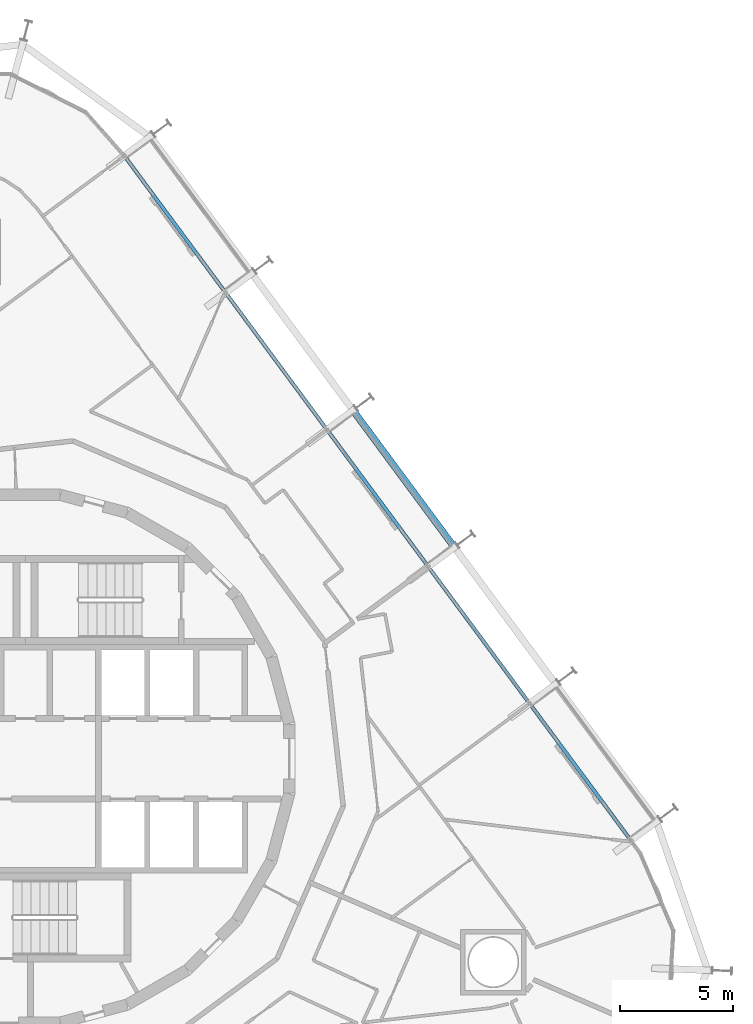
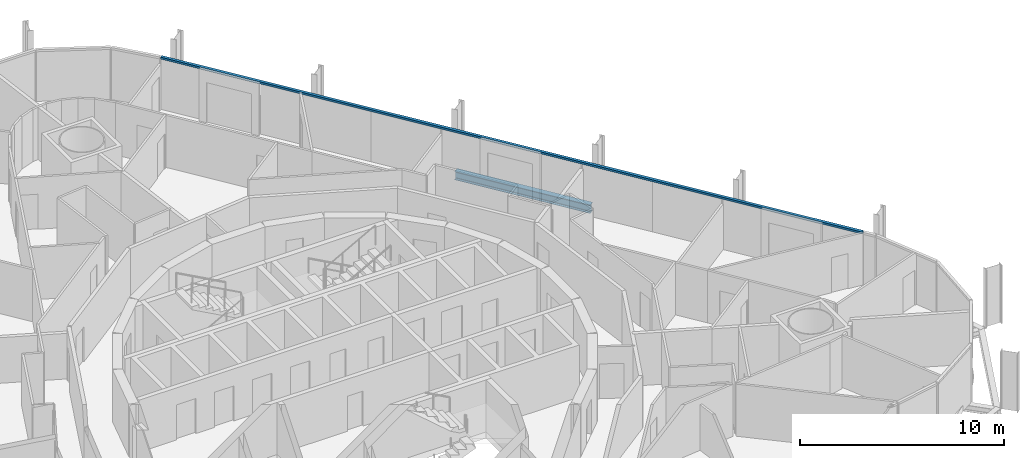
# One storey, part 10 of 24: 1 beam, 1 member, 1 element without a shape of its own.
"""IFC4 building model written with IfcOpenShell, lengths in metres."""

import ifcopenshell
import ifcopenshell.guid

model = None  # the IFC model being written
_history = None  # IfcOwnerHistory: only IFC2X3 demands one
_inside = {}  # id of a spatial element -> (the spatial element, [elements in it])
_under = {}  # id of a project, library or spatial element -> (it, [spatial elements below it])
_declared = {}  # id of a project -> (the project, [libraries it declares])
_typed = {}  # id of a type object -> (the type object, [elements of that type])
_made_of = {}  # id of a material, layer set ... -> (it, [elements and type objects made of it])


def new_model(schema):
    """Start an empty IFC model of exactly this schema.

    Asked for "IFC4X3", IfcOpenShell would pick the latest addendum, in which some entities
    have other attributes; the version numbers below select the first issue.
    IFC2X3 requires an IfcOwnerHistory on every rooted entity: one is made here for all.
    """
    global model, _history
    if schema == "IFC4X3":
        model = ifcopenshell.file(schema_version=(4, 3, 0, 0))
    else:
        model = ifcopenshell.file(schema=schema)
    _inside.clear()
    _under.clear()
    _declared.clear()
    _typed.clear()
    _made_of.clear()
    _history = None
    if model.schema == "IFC2X3":
        org = make("IfcOrganization", Name="unknown")
        user = make(
            "IfcPersonAndOrganization",
            ThePerson=make("IfcPerson", FamilyName="unknown"),
            TheOrganization=org,
        )
        app = make(
            "IfcApplication",
            ApplicationDeveloper=org,
            Version="unknown",
            ApplicationFullName="unknown",
            ApplicationIdentifier="unknown",
        )
        _history = make(
            "IfcOwnerHistory",
            OwningUser=user,
            OwningApplication=app,
            ChangeAction="ADDED",
            CreationDate=0,
        )
    return model


def make(cls, **values):
    """One entity of the class cls with the attributes given. An attribute that is None is left unset."""
    return model.create_entity(
        cls, **{name: value for name, value in values.items() if value is not None}
    )


def rooted(cls, **values):
    """An entity with a GlobalId (a new one), such as an element, a storey or a relation."""
    return make(cls, GlobalId=ifcopenshell.guid.new(), OwnerHistory=_history, **values)


def si_unit(unit_type, name, prefix=None):
    """IfcSIUnit, for example si_unit("LENGTHUNIT", "METRE", prefix="MILLI")."""
    return make("IfcSIUnit", UnitType=unit_type, Prefix=prefix, Name=name)


def assignment(units):
    """IfcUnitAssignment: the units of a project."""
    return None if units is None else make("IfcUnitAssignment", Units=units)


def point(xyz):
    """IfcCartesianPoint."""
    return None if xyz is None else make("IfcCartesianPoint", Coordinates=xyz)


def direction(xyz):
    """IfcDirection."""
    return None if xyz is None else make("IfcDirection", DirectionRatios=xyz)


def frame(location, z_axis=None, x_axis=None):
    """IfcAxis2Placement3D, a coordinate frame: its origin and axes. An axis left out is left unset."""
    return make(
        "IfcAxis2Placement3D",
        Location=point(location),
        Axis=direction(z_axis),
        RefDirection=direction(x_axis),
    )


def frame_2d(location, x_axis=None):
    """IfcAxis2Placement2D, a coordinate frame in the plane: its origin and x axis."""
    return make(
        "IfcAxis2Placement2D", Location=point(location), RefDirection=direction(x_axis)
    )


def origin():
    """The frame at (0, 0, 0) with its axes left unset."""
    return frame((0.0, 0.0, 0.0))


def origin_2d():
    """The frame at (0, 0) in the plane with its x axis left unset."""
    return frame_2d((0.0, 0.0))


def place(relative_to, where):
    """IfcLocalPlacement: puts the frame where relative to a parent placement (None: the world)."""
    return make(
        "IfcLocalPlacement", PlacementRelTo=relative_to, RelativePlacement=where
    )


def context(
    kind, dimensions, precision=None, world=None, true_north=None, identifier=None
):
    """IfcGeometricRepresentationContext, for example the 3D "Model" context."""
    return make(
        "IfcGeometricRepresentationContext",
        ContextIdentifier=identifier,
        ContextType=kind,
        CoordinateSpaceDimension=dimensions,
        Precision=precision,
        WorldCoordinateSystem=world,
        TrueNorth=true_north,
    )


def subcontext(parent, identifier, kind, view, scale=None):
    """IfcGeometricRepresentationSubContext, for example "Body" below "Model"."""
    return make(
        "IfcGeometricRepresentationSubContext",
        ContextIdentifier=identifier,
        ContextType=kind,
        ParentContext=parent,
        TargetScale=scale,
        TargetView=view,
    )


def project(units=None, contexts=None):
    """IfcProject with its units and contexts."""
    return rooted(
        "IfcProject",
        Name="project",
        RepresentationContexts=contexts,
        UnitsInContext=assignment(units),
    )


def spatial(cls, under=None, at=None, **own):
    """A site, building, storey or space (cls), placed at a placement, below another one or the project."""
    s = rooted(cls, ObjectPlacement=at, **own)
    if under is not None:
        _under.setdefault(under.id(), (under, []))[1].append(s)
    return s


def profile(cls, at=None, kind="AREA", **sizes):
    """A parametric profile (cls). Its sizes go by their IFC names, for example OverallWidth=200.0."""
    return make(cls, ProfileType=kind, Position=at, **sizes)


def rectangle(**sizes):
    """IfcRectangleProfileDef."""
    return profile("IfcRectangleProfileDef", **sizes)


def i_section(**sizes):
    """IfcIShapeProfileDef."""
    return profile("IfcIShapeProfileDef", **sizes)


def extrude(swept, where, along, depth):
    """IfcExtrudedAreaSolid: the profile swept, set in the frame where, extruded along a direction by depth."""
    return make(
        "IfcExtrudedAreaSolid",
        SweptArea=swept,
        Position=where,
        ExtrudedDirection=direction(along),
        Depth=depth,
    )


def shape(context_of_items, identifier, shape_type, items):
    """IfcShapeRepresentation: the items that make up one representation, for example the "Body"."""
    return make(
        "IfcShapeRepresentation",
        ContextOfItems=context_of_items,
        RepresentationIdentifier=identifier,
        RepresentationType=shape_type,
        Items=items,
    )


def material(Name=None, Category=None):
    """IfcMaterial."""
    return make("IfcMaterial", Name=Name, Category=Category)


def layer(
    of_material, thickness, ventilated=None, Name=None, Category=None, Priority=None
):
    """IfcMaterialLayer: one layer of a wall or slab, of a material (None: an air gap)."""
    return make(
        "IfcMaterialLayer",
        Material=of_material,
        LayerThickness=thickness,
        IsVentilated=ventilated,
        Name=Name,
        Category=Category,
        Priority=Priority,
    )


def layer_set(layers, Name=None):
    """IfcMaterialLayerSet."""
    return make("IfcMaterialLayerSet", MaterialLayers=layers, LayerSetName=Name)


def material_profile(
    of_material, cross_section, Name=None, Category=None, Priority=None
):
    """IfcMaterialProfile: a cross section and its material."""
    return make(
        "IfcMaterialProfile",
        Name=Name,
        Material=of_material,
        Profile=cross_section,
        Priority=Priority,
        Category=Category,
    )


def profile_set(profiles, Name=None, composite=None):
    """IfcMaterialProfileSet."""
    return make(
        "IfcMaterialProfileSet",
        Name=Name,
        MaterialProfiles=profiles,
        CompositeProfile=composite,
    )


def made_of(thing, what):
    """Note that an element or type object is made of a material, layer set ...; save() writes the relation."""
    if what is not None:
        _made_of.setdefault(what.id(), (what, []))[1].append(thing)
    return thing


def type_object(cls, material=None, **own):
    """A type object (cls), such as IfcWallType, which elements share."""
    return made_of(rooted(cls, **own), material)


def element(
    cls,
    number,
    at=None,
    inside=None,
    cuts=None,
    type_object=None,
    material=None,
    context=None,
    identifier="Body",
    shape_type=None,
    held_by="IfcProductDefinitionShape",
    body=None,
    shapes=None,
    **own,
):
    """One element of the class cls, such as IfcWall. Its Tag is "e" and its number.

    at: its placement. inside: the storey or other place that contains it. cuts: it is an
    opening in that element (IfcRelVoidsElement). A single representation is given by context,
    identifier, shape_type and body (its items); several are given by shapes. held_by: the class
    of the entity that holds the representations. save() writes the other relations.
    """
    e = rooted(cls, Tag="e%d" % number, ObjectPlacement=at, **own)
    if body is not None:
        shapes = [shape(context, identifier, shape_type, body)]
    if shapes is not None:
        e.Representation = make(held_by, Representations=shapes)
    if inside is not None:
        _inside.setdefault(inside.id(), (inside, []))[1].append(e)
    if cuts is not None:
        rooted(
            "IfcRelVoidsElement", RelatingBuildingElement=cuts, RelatedOpeningElement=e
        )
    if type_object is not None:
        _typed.setdefault(type_object.id(), (type_object, []))[1].append(e)
    return made_of(e, material)


def aggregate(whole, parts):
    """IfcRelAggregates: a whole, such as a stair, and the parts it consists of."""
    return rooted("IfcRelAggregates", RelatingObject=whole, RelatedObjects=parts)


def save(model, path):
    """Write the relations noted so far, then the file.

    IfcRelAggregates (storeys below a building ...), IfcRelContainedInSpatialStructure (elements
    in a storey), IfcRelDefinesByType, IfcRelAssociatesMaterial and IfcRelDeclares: one each for
    every whole, place, type object, material and project.
    """
    for whole, parts in _under.values():
        aggregate(whole, parts)
    for where, things in _inside.values():
        rooted(
            "IfcRelContainedInSpatialStructure",
            RelatedElements=things,
            RelatingStructure=where,
        )
    for kind, things in _typed.values():
        rooted("IfcRelDefinesByType", RelatedObjects=things, RelatingType=kind)
    for what, things in _made_of.values():
        rooted("IfcRelAssociatesMaterial", RelatedObjects=things, RelatingMaterial=what)
    for by, libraries in _declared.values():
        rooted("IfcRelDeclares", RelatingContext=by, RelatedDefinitions=libraries)
    model.write(path)


model = new_model("IFC4")

# Units and contexts
model_context = context("Model", 3, precision=1e-05, world=origin(), true_north=direction((0.0, 1.0)))
body_context = subcontext(model_context, "Body", "Model", "MODEL_VIEW")
ifc_project = project(units=[si_unit("LENGTHUNIT", "METRE"), si_unit("AREAUNIT", "SQUARE_METRE"), si_unit("VOLUMEUNIT", "CUBIC_METRE"), si_unit("PLANEANGLEUNIT", "RADIAN"), si_unit("MASSUNIT", "GRAM", prefix="KILO")], contexts=[model_context])

# Site, building, storey
site_placement = place(None, origin())
site = spatial("IfcSite", under=ifc_project, at=site_placement, CompositionType="ELEMENT")
building_placement = place(site_placement, origin())
building = spatial("IfcBuilding", under=site, at=building_placement, Name="Spindle Arch Residences", CompositionType="ELEMENT")
storey_placement = place(building_placement, frame((0.0, 0.0, 87.199951171875)))
storey = spatial("IfcBuildingStorey", under=building, at=storey_placement, Name="L20", CompositionType="ELEMENT", Elevation=87.199951171875)

# Curtain wall, member
ifc_material_1 = material(Name="Aluminium bronze unitised frame with tinted glass", Category="aluminium")
ifc_layer = layer(ifc_material_1, 0.159912109375)
ifc_layer_set = layer_set([ifc_layer], Name="CW-C typical residential unitised wall")
curtain_wall_type = type_object("IfcCurtainWallType", Name="CW-C typical residential unitised wall", PredefinedType="NOTDEFINED", material=ifc_layer_set)
curtain_wall_placement = place(storey_placement, origin())
curtain_wall = element("IfcCurtainWall", 1, at=curtain_wall_placement, inside=storey, type_object=curtain_wall_type, Name="CW-C L20 run 2", PredefinedType="NOTDEFINED")
ifc_material_2 = material(Name="Aluminium bronze anodised transom", Category="aluminium")
ifc_material_profile_1 = material_profile(ifc_material_2, rectangle(XDim=0.159912109375, YDim=0.1201171875, at=origin_2d()), Name="TR 120x160")
ifc_profile_set_1 = profile_set([ifc_material_profile_1], Name="Aluminium bronze anodised transom")
member_type = type_object("IfcMemberType", Name="Bronze transom 120x160", PredefinedType="USERDEFINED", material=ifc_profile_set_1)
member_placement = place(storey_placement, frame((26.707763671875, -3.583740234375, 3.06005859375), z_axis=(-0.594822410752, 0.803857138842, 0.0), x_axis=(-0.803857138842, -0.594822410752, 0.0)))
member = element("IfcMember", 2, at=member_placement, type_object=member_type, Name="CW-C transom 00", ObjectType="TRANSOM", PredefinedType="USERDEFINED", context=body_context, shape_type="SweptSolid", body=[
    extrude(rectangle(XDim=0.159912109375, YDim=0.1201171875, at=origin_2d()), origin(), (0.0, 0.0, 1.0), 37.5341796875),
])
aggregate(curtain_wall, [member])

# Beam
ifc_material_3 = material(Name="Steel S460ML, intumescent coating R 120", Category="steel")
ifc_material_profile_2 = material_profile(ifc_material_3, i_section(OverallWidth=0.300048828125, OverallDepth=0.5, WebThickness=0.014404296875, FlangeThickness=0.028076171875, FilletRadius=0.027099609375, at=origin_2d()), Name="HEB 500")
ifc_profile_set_2 = profile_set([ifc_material_profile_2], Name="Steel S460ML, intumescent coating R 120")
beam_type = type_object("IfcBeamType", Name="Exoskeleton edge beam HEB 500", PredefinedType="BEAM", material=ifc_profile_set_2)
beam_placement = place(storey_placement, frame((18.85546875, 9.437255859375, -0.6298828125), z_axis=(-0.59484300541, 0.803841899203, 0.0), x_axis=(-0.803841899203, -0.59484300541, 0.0)))
element("IfcBeam", 3, at=beam_placement, inside=storey, type_object=beam_type, Name="Exoskeleton edge beam 8", PredefinedType="BEAM", context=body_context, shape_type="SweptSolid", body=[
    extrude(i_section(OverallWidth=0.300048828125, OverallDepth=0.5, WebThickness=0.014404296875, FlangeThickness=0.028076171875, FilletRadius=0.027099609375, at=origin_2d()), origin(), (0.0, 0.0, 1.0), 7.2587890625),
])

save(model, "model.ifc")
